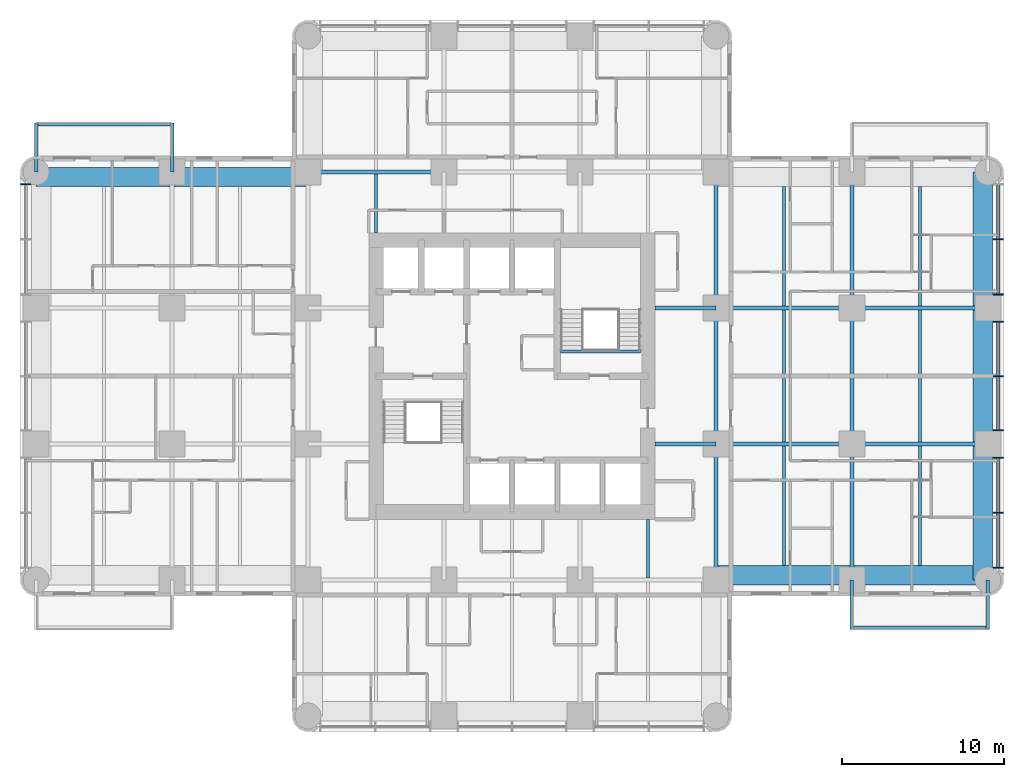
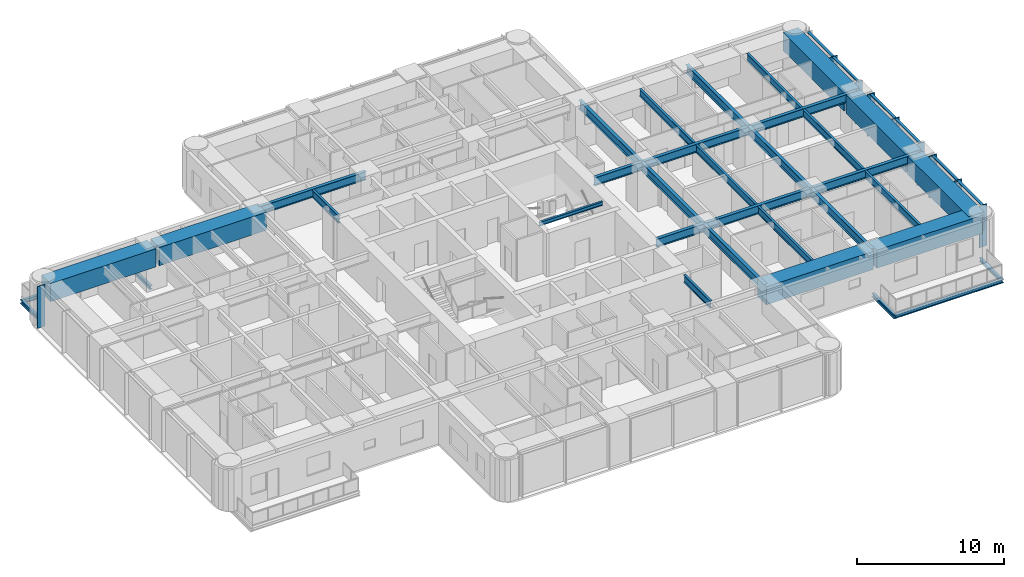
# One storey, part 3 of 15: 35 beams, 15 members, 2 elements without a shape of their own.
"""IFC4 building model written with IfcOpenShell, lengths in metres."""

import ifcopenshell
import ifcopenshell.guid

model = None  # the IFC model being written
_history = None  # IfcOwnerHistory: only IFC2X3 demands one
_inside = {}  # id of a spatial element -> (the spatial element, [elements in it])
_under = {}  # id of a project, library or spatial element -> (it, [spatial elements below it])
_declared = {}  # id of a project -> (the project, [libraries it declares])
_typed = {}  # id of a type object -> (the type object, [elements of that type])
_made_of = {}  # id of a material, layer set ... -> (it, [elements and type objects made of it])


def new_model(schema):
    """Start an empty IFC model of exactly this schema.

    Asked for "IFC4X3", IfcOpenShell would pick the latest addendum, in which some entities
    have other attributes; the version numbers below select the first issue.
    IFC2X3 requires an IfcOwnerHistory on every rooted entity: one is made here for all.
    """
    global model, _history
    if schema == "IFC4X3":
        model = ifcopenshell.file(schema_version=(4, 3, 0, 0))
    else:
        model = ifcopenshell.file(schema=schema)
    _inside.clear()
    _under.clear()
    _declared.clear()
    _typed.clear()
    _made_of.clear()
    _history = None
    if model.schema == "IFC2X3":
        org = make("IfcOrganization", Name="unknown")
        user = make(
            "IfcPersonAndOrganization",
            ThePerson=make("IfcPerson", FamilyName="unknown"),
            TheOrganization=org,
        )
        app = make(
            "IfcApplication",
            ApplicationDeveloper=org,
            Version="unknown",
            ApplicationFullName="unknown",
            ApplicationIdentifier="unknown",
        )
        _history = make(
            "IfcOwnerHistory",
            OwningUser=user,
            OwningApplication=app,
            ChangeAction="ADDED",
            CreationDate=0,
        )
    return model


def make(cls, **values):
    """One entity of the class cls with the attributes given. An attribute that is None is left unset."""
    return model.create_entity(
        cls, **{name: value for name, value in values.items() if value is not None}
    )


def rooted(cls, **values):
    """An entity with a GlobalId (a new one), such as an element, a storey or a relation."""
    return make(cls, GlobalId=ifcopenshell.guid.new(), OwnerHistory=_history, **values)


def si_unit(unit_type, name, prefix=None):
    """IfcSIUnit, for example si_unit("LENGTHUNIT", "METRE", prefix="MILLI")."""
    return make("IfcSIUnit", UnitType=unit_type, Prefix=prefix, Name=name)


def assignment(units):
    """IfcUnitAssignment: the units of a project."""
    return None if units is None else make("IfcUnitAssignment", Units=units)


def point(xyz):
    """IfcCartesianPoint."""
    return None if xyz is None else make("IfcCartesianPoint", Coordinates=xyz)


def direction(xyz):
    """IfcDirection."""
    return None if xyz is None else make("IfcDirection", DirectionRatios=xyz)


def frame(location, z_axis=None, x_axis=None):
    """IfcAxis2Placement3D, a coordinate frame: its origin and axes. An axis left out is left unset."""
    return make(
        "IfcAxis2Placement3D",
        Location=point(location),
        Axis=direction(z_axis),
        RefDirection=direction(x_axis),
    )


def frame_2d(location, x_axis=None):
    """IfcAxis2Placement2D, a coordinate frame in the plane: its origin and x axis."""
    return make(
        "IfcAxis2Placement2D", Location=point(location), RefDirection=direction(x_axis)
    )


def origin():
    """The frame at (0, 0, 0) with its axes left unset."""
    return frame((0.0, 0.0, 0.0))


def origin_2d():
    """The frame at (0, 0) in the plane with its x axis left unset."""
    return frame_2d((0.0, 0.0))


def place(relative_to, where):
    """IfcLocalPlacement: puts the frame where relative to a parent placement (None: the world)."""
    return make(
        "IfcLocalPlacement", PlacementRelTo=relative_to, RelativePlacement=where
    )


def context(
    kind, dimensions, precision=None, world=None, true_north=None, identifier=None
):
    """IfcGeometricRepresentationContext, for example the 3D "Model" context."""
    return make(
        "IfcGeometricRepresentationContext",
        ContextIdentifier=identifier,
        ContextType=kind,
        CoordinateSpaceDimension=dimensions,
        Precision=precision,
        WorldCoordinateSystem=world,
        TrueNorth=true_north,
    )


def subcontext(parent, identifier, kind, view, scale=None):
    """IfcGeometricRepresentationSubContext, for example "Body" below "Model"."""
    return make(
        "IfcGeometricRepresentationSubContext",
        ContextIdentifier=identifier,
        ContextType=kind,
        ParentContext=parent,
        TargetScale=scale,
        TargetView=view,
    )


def project(units=None, contexts=None):
    """IfcProject with its units and contexts."""
    return rooted(
        "IfcProject",
        Name="project",
        RepresentationContexts=contexts,
        UnitsInContext=assignment(units),
    )


def spatial(cls, under=None, at=None, **own):
    """A site, building, storey or space (cls), placed at a placement, below another one or the project."""
    s = rooted(cls, ObjectPlacement=at, **own)
    if under is not None:
        _under.setdefault(under.id(), (under, []))[1].append(s)
    return s


def profile(cls, at=None, kind="AREA", **sizes):
    """A parametric profile (cls). Its sizes go by their IFC names, for example OverallWidth=200.0."""
    return make(cls, ProfileType=kind, Position=at, **sizes)


def rectangle(**sizes):
    """IfcRectangleProfileDef."""
    return profile("IfcRectangleProfileDef", **sizes)


def i_section(**sizes):
    """IfcIShapeProfileDef."""
    return profile("IfcIShapeProfileDef", **sizes)


def extrude(swept, where, along, depth):
    """IfcExtrudedAreaSolid: the profile swept, set in the frame where, extruded along a direction by depth."""
    return make(
        "IfcExtrudedAreaSolid",
        SweptArea=swept,
        Position=where,
        ExtrudedDirection=direction(along),
        Depth=depth,
    )


def shape(context_of_items, identifier, shape_type, items):
    """IfcShapeRepresentation: the items that make up one representation, for example the "Body"."""
    return make(
        "IfcShapeRepresentation",
        ContextOfItems=context_of_items,
        RepresentationIdentifier=identifier,
        RepresentationType=shape_type,
        Items=items,
    )


def material(Name=None, Category=None):
    """IfcMaterial."""
    return make("IfcMaterial", Name=Name, Category=Category)


def material_profile(
    of_material, cross_section, Name=None, Category=None, Priority=None
):
    """IfcMaterialProfile: a cross section and its material."""
    return make(
        "IfcMaterialProfile",
        Name=Name,
        Material=of_material,
        Profile=cross_section,
        Priority=Priority,
        Category=Category,
    )


def profile_set(profiles, Name=None, composite=None):
    """IfcMaterialProfileSet."""
    return make(
        "IfcMaterialProfileSet",
        Name=Name,
        MaterialProfiles=profiles,
        CompositeProfile=composite,
    )


def made_of(thing, what):
    """Note that an element or type object is made of a material, layer set ...; save() writes the relation."""
    if what is not None:
        _made_of.setdefault(what.id(), (what, []))[1].append(thing)
    return thing


def type_object(cls, material=None, **own):
    """A type object (cls), such as IfcWallType, which elements share."""
    return made_of(rooted(cls, **own), material)


def element(
    cls,
    number,
    at=None,
    inside=None,
    cuts=None,
    type_object=None,
    material=None,
    context=None,
    identifier="Body",
    shape_type=None,
    held_by="IfcProductDefinitionShape",
    body=None,
    shapes=None,
    **own,
):
    """One element of the class cls, such as IfcWall. Its Tag is "e" and its number.

    at: its placement. inside: the storey or other place that contains it. cuts: it is an
    opening in that element (IfcRelVoidsElement). A single representation is given by context,
    identifier, shape_type and body (its items); several are given by shapes. held_by: the class
    of the entity that holds the representations. save() writes the other relations.
    """
    e = rooted(cls, Tag="e%d" % number, ObjectPlacement=at, **own)
    if body is not None:
        shapes = [shape(context, identifier, shape_type, body)]
    if shapes is not None:
        e.Representation = make(held_by, Representations=shapes)
    if inside is not None:
        _inside.setdefault(inside.id(), (inside, []))[1].append(e)
    if cuts is not None:
        rooted(
            "IfcRelVoidsElement", RelatingBuildingElement=cuts, RelatedOpeningElement=e
        )
    if type_object is not None:
        _typed.setdefault(type_object.id(), (type_object, []))[1].append(e)
    return made_of(e, material)


def aggregate(whole, parts):
    """IfcRelAggregates: a whole, such as a stair, and the parts it consists of."""
    return rooted("IfcRelAggregates", RelatingObject=whole, RelatedObjects=parts)


def save(model, path):
    """Write the relations noted so far, then the file.

    IfcRelAggregates (storeys below a building ...), IfcRelContainedInSpatialStructure (elements
    in a storey), IfcRelDefinesByType, IfcRelAssociatesMaterial and IfcRelDeclares: one each for
    every whole, place, type object, material and project.
    """
    for whole, parts in _under.values():
        aggregate(whole, parts)
    for where, things in _inside.values():
        rooted(
            "IfcRelContainedInSpatialStructure",
            RelatedElements=things,
            RelatingStructure=where,
        )
    for kind, things in _typed.values():
        rooted("IfcRelDefinesByType", RelatedObjects=things, RelatingType=kind)
    for what, things in _made_of.values():
        rooted("IfcRelAssociatesMaterial", RelatedObjects=things, RelatingMaterial=what)
    for by, libraries in _declared.values():
        rooted("IfcRelDeclares", RelatingContext=by, RelatedDefinitions=libraries)
    model.write(path)


model = new_model("IFC4")

# Units and contexts
model_context = context("Model", 3, precision=1e-05, world=origin(), true_north=direction((0.0, 1.0)))
body_context = subcontext(model_context, "Body", "Model", "MODEL_VIEW")
ifc_project = project(units=[si_unit("LENGTHUNIT", "METRE"), si_unit("AREAUNIT", "SQUARE_METRE"), si_unit("VOLUMEUNIT", "CUBIC_METRE"), si_unit("PLANEANGLEUNIT", "RADIAN"), si_unit("MASSUNIT", "GRAM", prefix="KILO")], contexts=[model_context])

# Site, building, storey
site_placement = place(None, origin())
site = spatial("IfcSite", under=ifc_project, at=site_placement, CompositionType="ELEMENT")
building_placement = place(site_placement, origin())
building = spatial("IfcBuilding", under=site, at=building_placement, Name="Torre Alcanfor", CompositionType="ELEMENT")
storey_placement = place(building_placement, frame((0.0, 0.0, 123.300048828125)))
storey = spatial("IfcBuildingStorey", under=building, at=storey_placement, Name="L31", CompositionType="ELEMENT", Elevation=123.300048828125)

# Beams
ifc_material_1 = material(Name="Steel ASTM A992 Grade 50", Category="steel")
ifc_material_profile_1 = material_profile(ifc_material_1, i_section(OverallWidth=0.205322265625, OverallDepth=0.309814453125, WebThickness=0.00927734375, FlangeThickness=0.016357421875, at=origin_2d()), Name="W12x50")
ifc_profile_set_1 = profile_set([ifc_material_profile_1], Name="Steel ASTM A992 Grade 50")
beam_type_1 = type_object("IfcBeamType", Name="Balcony cantilever beam W12x50", PredefinedType="BEAM", material=ifc_profile_set_1)
for number, where, z_axis, x_axis, name in (
    (1, (50.39990234375, 16.800048828125, -0.35498046875), (0.0, -1.0, 0.0), (1.0, 0.0, 0.0), "Balcony cantilever beam L31-E2 1"),
    (2, (58.800048828125, 16.800048828125, -0.35498046875), (0.0, -1.0, 0.0), (1.0, 0.0, 0.0), "Balcony cantilever beam L31-E2 2"),
    (3, (8.39990234375, 42.0, -0.35498046875), (0.0, 1.0, 0.0), (-1.0, 0.0, 0.0), "Balcony cantilever beam L31-W2 1"),
    (4, (0.0, 42.0, -0.35498046875), (0.0, 1.0, 0.0), (-1.0, 0.0, 0.0), "Balcony cantilever beam L31-W2 2"),
):
    element("IfcBeam", number, at=place(storey_placement, frame(where, z_axis=z_axis, x_axis=x_axis)), inside=storey, type_object=beam_type_1, Name=name, PredefinedType="BEAM", context=body_context, shape_type="SweptSolid", body=[
        extrude(i_section(OverallWidth=0.205322265625, OverallDepth=0.309814453125, WebThickness=0.00927734375, FlangeThickness=0.016357421875, at=origin_2d()), origin(), (0.0, 0.0, 1.0), 3.050048828125),
    ])
ifc_material_2 = material(Name="Steel ASTM A992 Grade 50", Category="steel")
ifc_material_profile_2 = material_profile(ifc_material_2, i_section(OverallWidth=0.203369140625, OverallDepth=0.30224609375, WebThickness=0.007568359375, FlangeThickness=0.01318359375, at=origin_2d()), Name="W12x40")
ifc_profile_set_2 = profile_set([ifc_material_profile_2], Name="Steel ASTM A992 Grade 50")
beam_type_2 = type_object("IfcBeamType", Name="Balcony edge trimmer W12x40", PredefinedType="BEAM", material=ifc_profile_set_2)
beam_1_placement = place(storey_placement, frame((50.39990234375, 13.851806640625, -0.35107421875), z_axis=(1.0, 0.0, 0.0), x_axis=(0.0, 1.0, 0.0)))
element("IfcBeam", 5, at=beam_1_placement, inside=storey, type_object=beam_type_2, Name="Balcony edge trimmer L31-E2", PredefinedType="BEAM", context=body_context, shape_type="SweptSolid", body=[
    extrude(i_section(OverallWidth=0.203369140625, OverallDepth=0.30224609375, WebThickness=0.007568359375, FlangeThickness=0.01318359375, at=origin_2d()), origin(), (0.0, 0.0, 1.0), 8.400146484375),
])
beam_2_placement = place(storey_placement, frame((8.39990234375, 44.9482421875, -0.35107421875), z_axis=(-1.0, 0.0, 0.0), x_axis=(0.0, -1.0, 0.0)))
element("IfcBeam", 6, at=beam_2_placement, inside=storey, type_object=beam_type_2, Name="Balcony edge trimmer L31-W2", PredefinedType="BEAM", context=body_context, shape_type="SweptSolid", body=[
    extrude(i_section(OverallWidth=0.203369140625, OverallDepth=0.30224609375, WebThickness=0.007568359375, FlangeThickness=0.01318359375, at=origin_2d()), origin(), (0.0, 0.0, 1.0), 8.39990234375),
])

# Curtain wall, member
ifc_material_3 = material(Name="Aluminium and glass", Category="aluminium")
curtain_wall_type = type_object("IfcCurtainWallType", Name="CW-A unitised apartment glazing with vertical FIN", PredefinedType="NOTDEFINED", material=ifc_material_3)
curtain_wall_1_placement = place(storey_placement, origin())
curtain_wall_1 = element("IfcCurtainWall", 7, at=curtain_wall_1_placement, inside=storey, type_object=curtain_wall_type, Name="Curtain wall CW-A L31 2", PredefinedType="NOTDEFINED")
ifc_material_4 = material(Name="Bronze anodised aluminium", Category="aluminium")
ifc_material_profile_3 = material_profile(ifc_material_4, rectangle(XDim=0.60009765625, YDim=0.06494140625, at=origin_2d()), Name="CW-A mullion 65x600")
ifc_profile_set_3 = profile_set([ifc_material_profile_3], Name="Bronze anodised aluminium")
member_type_1 = type_object("IfcMemberType", Name="CW-A mullion with vertical FIN 65x600", PredefinedType="MULLION", material=ifc_profile_set_3)
member_1_placement = place(storey_placement, frame((-0.64990234375, 41.24267578125, 0.0), z_axis=(0.0, 0.0, 1.0), x_axis=(1.0, 0.0, 0.0)))
member_1 = element("IfcMember", 8, at=member_1_placement, type_object=member_type_1, Name="CW-A mullion 1.1", PredefinedType="MULLION", context=body_context, shape_type="SweptSolid", body=[
    extrude(rectangle(XDim=0.60009765625, YDim=0.06494140625, at=origin_2d()), origin(), (0.0, 0.0, 1.0), 3.449951171875),
])
aggregate(curtain_wall_1, [member_1])

# Curtain wall, members
curtain_wall_2_placement = place(storey_placement, origin())
curtain_wall_2 = element("IfcCurtainWall", 9, at=curtain_wall_2_placement, inside=storey, type_object=curtain_wall_type, Name="Curtain wall CW-A L31 8", PredefinedType="NOTDEFINED")
member_2_placement = place(storey_placement, frame((59.449951171875, 17.557373046875, 0.0), z_axis=(0.0, 0.0, 1.0), x_axis=(-1.0, 0.0, 0.0)))
member_2 = element("IfcMember", 10, at=member_2_placement, type_object=member_type_1, Name="CW-A mullion 1.1", PredefinedType="MULLION", context=body_context, shape_type="SweptSolid", body=[
    extrude(rectangle(XDim=0.60009765625, YDim=0.06494140625, at=origin_2d()), origin(), (0.0, 0.0, 1.0), 3.449951171875),
])
member_3_placement = place(storey_placement, frame((59.449951171875, 20.9599609375, 0.0), z_axis=(0.0, 0.0, 1.0), x_axis=(-1.0, 0.0, 0.0)))
member_3 = element("IfcMember", 11, at=member_3_placement, type_object=member_type_1, Name="CW-A mullion 1.2", PredefinedType="MULLION", context=body_context, shape_type="SweptSolid", body=[
    extrude(rectangle(XDim=0.60009765625, YDim=0.06494140625, at=origin_2d()), origin(), (0.0, 0.0, 1.0), 3.449951171875),
])
member_4_placement = place(storey_placement, frame((59.449951171875, 24.362548828125, 0.0), z_axis=(0.0, 0.0, 1.0), x_axis=(-1.0, 0.0, 0.0)))
member_4 = element("IfcMember", 12, at=member_4_placement, type_object=member_type_1, Name="CW-A mullion 1.3", PredefinedType="MULLION", context=body_context, shape_type="SweptSolid", body=[
    extrude(rectangle(XDim=0.60009765625, YDim=0.06494140625, at=origin_2d()), origin(), (0.0, 0.0, 1.0), 3.449951171875),
])
member_5_placement = place(storey_placement, frame((59.449951171875, 26.03759765625, 0.0), z_axis=(0.0, 0.0, 1.0), x_axis=(-1.0, 0.0, 0.0)))
member_5 = element("IfcMember", 13, at=member_5_placement, type_object=member_type_1, Name="CW-A mullion 2.1", PredefinedType="MULLION", context=body_context, shape_type="SweptSolid", body=[
    extrude(rectangle(XDim=0.60009765625, YDim=0.06494140625, at=origin_2d()), origin(), (0.0, 0.0, 1.0), 3.449951171875),
])
member_6_placement = place(storey_placement, frame((59.449951171875, 29.39990234375, 0.0), z_axis=(0.0, 0.0, 1.0), x_axis=(-1.0, 0.0, 0.0)))
member_6 = element("IfcMember", 14, at=member_6_placement, type_object=member_type_1, Name="CW-A mullion 2.2", PredefinedType="MULLION", context=body_context, shape_type="SweptSolid", body=[
    extrude(rectangle(XDim=0.60009765625, YDim=0.06494140625, at=origin_2d()), origin(), (0.0, 0.0, 1.0), 3.449951171875),
])
member_7_placement = place(storey_placement, frame((59.449951171875, 32.762451171875, 0.0), z_axis=(0.0, 0.0, 1.0), x_axis=(-1.0, 0.0, 0.0)))
member_7 = element("IfcMember", 15, at=member_7_placement, type_object=member_type_1, Name="CW-A mullion 2.3", PredefinedType="MULLION", context=body_context, shape_type="SweptSolid", body=[
    extrude(rectangle(XDim=0.60009765625, YDim=0.06494140625, at=origin_2d()), origin(), (0.0, 0.0, 1.0), 3.449951171875),
])
member_8_placement = place(storey_placement, frame((59.449951171875, 34.4375, 0.0), z_axis=(0.0, 0.0, 1.0), x_axis=(-1.0, 0.0, 0.0)))
member_8 = element("IfcMember", 16, at=member_8_placement, type_object=member_type_1, Name="CW-A mullion 3.1", PredefinedType="MULLION", context=body_context, shape_type="SweptSolid", body=[
    extrude(rectangle(XDim=0.60009765625, YDim=0.06494140625, at=origin_2d()), origin(), (0.0, 0.0, 1.0), 3.449951171875),
])
member_9_placement = place(storey_placement, frame((59.449951171875, 37.840087890625, 0.0), z_axis=(0.0, 0.0, 1.0), x_axis=(-1.0, 0.0, 0.0)))
member_9 = element("IfcMember", 17, at=member_9_placement, type_object=member_type_1, Name="CW-A mullion 3.2", PredefinedType="MULLION", context=body_context, shape_type="SweptSolid", body=[
    extrude(rectangle(XDim=0.60009765625, YDim=0.06494140625, at=origin_2d()), origin(), (0.0, 0.0, 1.0), 3.449951171875),
])
ifc_material_5 = material(Name="Extruded aluminium", Category="aluminium")
ifc_material_profile_4 = material_profile(ifc_material_5, rectangle(XDim=0.199951171875, YDim=0.06494140625, at=origin_2d()), Name="CW-A transom 200x65")
ifc_profile_set_4 = profile_set([ifc_material_profile_4], Name="Extruded aluminium")
member_type_2 = type_object("IfcMemberType", Name="CW-A transom 65x200", PredefinedType="USERDEFINED", material=ifc_profile_set_4)
member_10_placement = place(storey_placement, frame((59.449951171875, 17.58984375, 3.41748046875), z_axis=(0.0, 1.0, 0.0), x_axis=(-1.0, 0.0, 0.0)))
member_10 = element("IfcMember", 18, at=member_10_placement, type_object=member_type_2, Name="CW-A transom 1.1.2", ObjectType="TRANSOM", PredefinedType="USERDEFINED", context=body_context, shape_type="SweptSolid", body=[
    extrude(rectangle(XDim=0.199951171875, YDim=0.06494140625, at=origin_2d()), origin(), (0.0, 0.0, 1.0), 3.337646484375),
])
member_11_placement = place(storey_placement, frame((59.449951171875, 20.992431640625, 3.41748046875), z_axis=(0.0, 1.0, 0.0), x_axis=(-1.0, 0.0, 0.0)))
member_11 = element("IfcMember", 19, at=member_11_placement, type_object=member_type_2, Name="CW-A transom 1.2.2", ObjectType="TRANSOM", PredefinedType="USERDEFINED", context=body_context, shape_type="SweptSolid", body=[
    extrude(rectangle(XDim=0.199951171875, YDim=0.06494140625, at=origin_2d()), origin(), (0.0, 0.0, 1.0), 3.337646484375),
])
member_12_placement = place(storey_placement, frame((59.449951171875, 26.070068359375, 3.41748046875), z_axis=(0.0, 1.0, 0.0), x_axis=(-1.0, 0.0, 0.0)))
member_12 = element("IfcMember", 20, at=member_12_placement, type_object=member_type_2, Name="CW-A transom 2.1.2", ObjectType="TRANSOM", PredefinedType="USERDEFINED", context=body_context, shape_type="SweptSolid", body=[
    extrude(rectangle(XDim=0.199951171875, YDim=0.06494140625, at=origin_2d()), origin(), (0.0, 0.0, 1.0), 3.29736328125),
])
member_13_placement = place(storey_placement, frame((59.449951171875, 29.4326171875, 3.41748046875), z_axis=(0.0, 1.0, 0.0), x_axis=(-1.0, 0.0, 0.0)))
member_13 = element("IfcMember", 21, at=member_13_placement, type_object=member_type_2, Name="CW-A transom 2.2.2", ObjectType="TRANSOM", PredefinedType="USERDEFINED", context=body_context, shape_type="SweptSolid", body=[
    extrude(rectangle(XDim=0.199951171875, YDim=0.06494140625, at=origin_2d()), origin(), (0.0, 0.0, 1.0), 3.29736328125),
])
member_14_placement = place(storey_placement, frame((59.449951171875, 34.469970703125, 3.41748046875), z_axis=(0.0, 1.0, 0.0), x_axis=(-1.0, 0.0, 0.0)))
member_14 = element("IfcMember", 22, at=member_14_placement, type_object=member_type_2, Name="CW-A transom 3.1.2", ObjectType="TRANSOM", PredefinedType="USERDEFINED", context=body_context, shape_type="SweptSolid", body=[
    extrude(rectangle(XDim=0.199951171875, YDim=0.06494140625, at=origin_2d()), origin(), (0.0, 0.0, 1.0), 3.337646484375),
])
member_15_placement = place(storey_placement, frame((59.449951171875, 37.87255859375, 3.41748046875), z_axis=(0.0, 1.0, 0.0), x_axis=(-1.0, 0.0, 0.0)))
member_15 = element("IfcMember", 23, at=member_15_placement, type_object=member_type_2, Name="CW-A transom 3.2.2", ObjectType="TRANSOM", PredefinedType="USERDEFINED", context=body_context, shape_type="SweptSolid", body=[
    extrude(rectangle(XDim=0.199951171875, YDim=0.06494140625, at=origin_2d()), origin(), (0.0, 0.0, 1.0), 3.337646484375),
])
aggregate(curtain_wall_2, [member_2, member_3, member_4, member_10, member_11, member_5, member_6, member_7, member_12, member_13, member_8, member_9, member_14, member_15])

# Beams
ifc_material_6 = material(Name="Steel ASTM A992 Grade 50", Category="steel")
ifc_material_profile_5 = material_profile(ifc_material_6, i_section(OverallWidth=0.25390625, OverallDepth=0.683349609375, WebThickness=0.012451171875, FlangeThickness=0.01904296875, at=origin_2d()), Name="W27x94")
ifc_profile_set_5 = profile_set([ifc_material_profile_5], Name="Steel ASTM A992 Grade 50")
beam_type_3 = type_object("IfcBeamType", Name="Girder W27x94", PredefinedType="BEAM", material=ifc_profile_set_5)
beam_3_placement = place(storey_placement, frame((42.0, 25.199951171875, 3.1083984375), z_axis=(1.0, 0.0, 0.0), x_axis=(0.0, 1.0, 0.0)))
element("IfcBeam", 24, at=beam_3_placement, inside=storey, type_object=beam_type_3, Name="Beam 6F-7F under L32", PredefinedType="BEAM", context=body_context, shape_type="SweptSolid", body=[
    extrude(i_section(OverallWidth=0.25390625, OverallDepth=0.683349609375, WebThickness=0.012451171875, FlangeThickness=0.01904296875, at=origin_2d()), origin(), (0.0, 0.0, 1.0), 8.39990234375),
])
beam_4_placement = place(storey_placement, frame((50.39990234375, 25.199951171875, 3.1083984375), z_axis=(1.0, 0.0, 0.0), x_axis=(0.0, 1.0, 0.0)))
element("IfcBeam", 25, at=beam_4_placement, inside=storey, type_object=beam_type_3, Name="Beam 7F-8F under L32", PredefinedType="BEAM", context=body_context, shape_type="SweptSolid", body=[
    extrude(i_section(OverallWidth=0.25390625, OverallDepth=0.683349609375, WebThickness=0.012451171875, FlangeThickness=0.01904296875, at=origin_2d()), origin(), (0.0, 0.0, 1.0), 8.400146484375),
])
beam_5_placement = place(storey_placement, frame((42.0, 33.60009765625, 3.1083984375), z_axis=(1.0, 0.0, 0.0), x_axis=(0.0, 1.0, 0.0)))
element("IfcBeam", 26, at=beam_5_placement, inside=storey, type_object=beam_type_3, Name="Beam 6G-7G under L32", PredefinedType="BEAM", context=body_context, shape_type="SweptSolid", body=[
    extrude(i_section(OverallWidth=0.25390625, OverallDepth=0.683349609375, WebThickness=0.012451171875, FlangeThickness=0.01904296875, at=origin_2d()), origin(), (0.0, 0.0, 1.0), 8.39990234375),
])
beam_6_placement = place(storey_placement, frame((50.39990234375, 33.60009765625, 3.1083984375), z_axis=(1.0, 0.0, 0.0), x_axis=(0.0, 1.0, 0.0)))
element("IfcBeam", 27, at=beam_6_placement, inside=storey, type_object=beam_type_3, Name="Beam 7G-8G under L32", PredefinedType="BEAM", context=body_context, shape_type="SweptSolid", body=[
    extrude(i_section(OverallWidth=0.25390625, OverallDepth=0.683349609375, WebThickness=0.012451171875, FlangeThickness=0.01904296875, at=origin_2d()), origin(), (0.0, 0.0, 1.0), 8.400146484375),
])
for number, where, z_axis, x_axis, name in (
    (28, (16.800048828125, 42.0, 3.1083984375), (1.0, 0.0, 0.0), (0.0, 1.0, 0.0), "Beam 3H-4H under L32"),
    (29, (42.0, 16.800048828125, 3.1083984375), (0.0, 1.0, 0.0), (-1.0, 0.0, 0.0), "Beam 6E-6F under L32"),
):
    element("IfcBeam", number, at=place(storey_placement, frame(where, z_axis=z_axis, x_axis=x_axis)), inside=storey, type_object=beam_type_3, Name=name, PredefinedType="BEAM", context=body_context, shape_type="SweptSolid", body=[
        extrude(i_section(OverallWidth=0.25390625, OverallDepth=0.683349609375, WebThickness=0.012451171875, FlangeThickness=0.01904296875, at=origin_2d()), origin(), (0.0, 0.0, 1.0), 8.39990234375),
    ])
beam_7_placement = place(storey_placement, frame((42.0, 25.199951171875, 3.1083984375), z_axis=(0.0, 1.0, 0.0), x_axis=(-1.0, 0.0, 0.0)))
element("IfcBeam", 30, at=beam_7_placement, inside=storey, type_object=beam_type_3, Name="Beam 6F-6G under L32", PredefinedType="BEAM", context=body_context, shape_type="SweptSolid", body=[
    extrude(i_section(OverallWidth=0.25390625, OverallDepth=0.683349609375, WebThickness=0.012451171875, FlangeThickness=0.01904296875, at=origin_2d()), origin(), (0.0, 0.0, 1.0), 8.400146484375),
])
for number, where, z_axis, x_axis, name in (
    (31, (42.0, 33.60009765625, 3.1083984375), (0.0, 1.0, 0.0), (-1.0, 0.0, 0.0), "Beam 6G-6H under L32"),
    (32, (50.39990234375, 16.800048828125, 3.1083984375), (0.0, 1.0, 0.0), (-1.0, 0.0, 0.0), "Beam 7E-7F under L32"),
):
    element("IfcBeam", number, at=place(storey_placement, frame(where, z_axis=z_axis, x_axis=x_axis)), inside=storey, type_object=beam_type_3, Name=name, PredefinedType="BEAM", context=body_context, shape_type="SweptSolid", body=[
        extrude(i_section(OverallWidth=0.25390625, OverallDepth=0.683349609375, WebThickness=0.012451171875, FlangeThickness=0.01904296875, at=origin_2d()), origin(), (0.0, 0.0, 1.0), 8.39990234375),
    ])
beam_8_placement = place(storey_placement, frame((50.39990234375, 25.199951171875, 3.1083984375), z_axis=(0.0, 1.0, 0.0), x_axis=(-1.0, 0.0, 0.0)))
element("IfcBeam", 33, at=beam_8_placement, inside=storey, type_object=beam_type_3, Name="Beam 7F-7G under L32", PredefinedType="BEAM", context=body_context, shape_type="SweptSolid", body=[
    extrude(i_section(OverallWidth=0.25390625, OverallDepth=0.683349609375, WebThickness=0.012451171875, FlangeThickness=0.01904296875, at=origin_2d()), origin(), (0.0, 0.0, 1.0), 8.400146484375),
])
beam_9_placement = place(storey_placement, frame((50.39990234375, 33.60009765625, 3.1083984375), z_axis=(0.0, 1.0, 0.0), x_axis=(-1.0, 0.0, 0.0)))
element("IfcBeam", 34, at=beam_9_placement, inside=storey, type_object=beam_type_3, Name="Beam 7G-7H under L32", PredefinedType="BEAM", context=body_context, shape_type="SweptSolid", body=[
    extrude(i_section(OverallWidth=0.25390625, OverallDepth=0.683349609375, WebThickness=0.012451171875, FlangeThickness=0.01904296875, at=origin_2d()), origin(), (0.0, 0.0, 1.0), 8.39990234375),
])
ifc_material_7 = material(Name="Steel ASTM A992 Grade 50", Category="steel")
ifc_material_profile_6 = material_profile(ifc_material_7, i_section(OverallWidth=0.25390625, OverallDepth=0.683349609375, WebThickness=0.012451171875, FlangeThickness=0.01904296875, at=origin_2d()), Name="W27x94")
ifc_profile_set_6 = profile_set([ifc_material_profile_6], Name="Steel ASTM A992 Grade 50")
beam_type_4 = type_object("IfcBeamType", Name="Girder, part bay W27x94", PredefinedType="BEAM", material=ifc_profile_set_6)
for number, where, z_axis, x_axis, name in (
    (35, (42.0, 25.199951171875, 3.1083984375), (-1.0, 0.0, 0.0), (0.0, -1.0, 0.0), "Beam 6F-38_25F under L32"),
    (36, (42.0, 33.60009765625, 3.1083984375), (-1.0, 0.0, 0.0), (0.0, -1.0, 0.0), "Beam 6G-38_25G under L32"),
):
    element("IfcBeam", number, at=place(storey_placement, frame(where, z_axis=z_axis, x_axis=x_axis)), inside=storey, type_object=beam_type_4, Name=name, PredefinedType="BEAM", context=body_context, shape_type="SweptSolid", body=[
        extrude(i_section(OverallWidth=0.25390625, OverallDepth=0.683349609375, WebThickness=0.012451171875, FlangeThickness=0.01904296875, at=origin_2d()), origin(), (0.0, 0.0, 1.0), 3.75),
    ])
ifc_material_8 = material(Name="Concrete f'c 70 MPa", Category="concrete")
ifc_material_profile_7 = material_profile(ifc_material_8, rectangle(XDim=1.199951171875, YDim=1.5, at=origin_2d()), Name="1200x1500")
ifc_profile_set_7 = profile_set([ifc_material_profile_7], Name="Concrete f'c 70 MPa")
beam_type_5 = type_object("IfcBeamType", Name="RC perimeter beam 1200x1500", PredefinedType="BEAM", material=ifc_profile_set_7)
beam_10_placement = place(storey_placement, frame((41.873046875, 17.10009765625, 2.699951171875), z_axis=(1.0, 0.0, 0.0), x_axis=(0.0, 1.0, 0.0)))
element("IfcBeam", 37, at=beam_10_placement, inside=storey, type_object=beam_type_5, Name="Beam 6E-7E under L32", PredefinedType="BEAM", context=body_context, shape_type="SweptSolid", body=[
    extrude(rectangle(XDim=1.199951171875, YDim=1.5, at=origin_2d()), origin(), (0.0, 0.0, 1.0), 8.39990234375),
])
for number, where, z_axis, x_axis, name in (
    (38, (50.527099609375, 17.10009765625, 2.699951171875), (1.0, 0.0, 0.0), (0.0, 1.0, 0.0), "Beam 7E-8E under L32"),
    (39, (0.0, 41.699951171875, 2.699951171875), (1.0, 0.0, 0.0), (0.0, 1.0, 0.0), "Beam 1H-2H under L32"),
):
    element("IfcBeam", number, at=place(storey_placement, frame(where, z_axis=z_axis, x_axis=x_axis)), inside=storey, type_object=beam_type_5, Name=name, PredefinedType="BEAM", context=body_context, shape_type="SweptSolid", body=[
        extrude(rectangle(XDim=1.199951171875, YDim=1.5, at=origin_2d()), origin(), (0.0, 0.0, 1.0), 8.27294921875),
    ])
beam_11_placement = place(storey_placement, frame((8.527099609375, 41.699951171875, 2.699951171875), z_axis=(1.0, 0.0, 0.0), x_axis=(0.0, 1.0, 0.0)))
element("IfcBeam", 40, at=beam_11_placement, inside=storey, type_object=beam_type_5, Name="Beam 2H-3H under L32", PredefinedType="BEAM", context=body_context, shape_type="SweptSolid", body=[
    extrude(rectangle(XDim=1.199951171875, YDim=1.5, at=origin_2d()), origin(), (0.0, 0.0, 1.0), 8.39990234375),
])
beam_12_placement = place(storey_placement, frame((58.5, 16.800048828125, 2.699951171875), z_axis=(0.0, 1.0, 0.0), x_axis=(-1.0, 0.0, 0.0)))
element("IfcBeam", 41, at=beam_12_placement, inside=storey, type_object=beam_type_5, Name="Beam 8E-8F under L32", PredefinedType="BEAM", context=body_context, shape_type="SweptSolid", body=[
    extrude(rectangle(XDim=1.199951171875, YDim=1.5, at=origin_2d()), origin(), (0.0, 0.0, 1.0), 8.27294921875),
])
beam_13_placement = place(storey_placement, frame((58.5, 25.326904296875, 2.699951171875), z_axis=(0.0, 1.0, 0.0), x_axis=(-1.0, 0.0, 0.0)))
element("IfcBeam", 42, at=beam_13_placement, inside=storey, type_object=beam_type_5, Name="Beam 8F-8G under L32", PredefinedType="BEAM", context=body_context, shape_type="SweptSolid", body=[
    extrude(rectangle(XDim=1.199951171875, YDim=1.5, at=origin_2d()), origin(), (0.0, 0.0, 1.0), 8.14599609375),
])
beam_14_placement = place(storey_placement, frame((58.5, 33.72705078125, 2.699951171875), z_axis=(0.0, 1.0, 0.0), x_axis=(-1.0, 0.0, 0.0)))
element("IfcBeam", 43, at=beam_14_placement, inside=storey, type_object=beam_type_5, Name="Beam 8G-8H under L32", PredefinedType="BEAM", context=body_context, shape_type="SweptSolid", body=[
    extrude(rectangle(XDim=1.199951171875, YDim=1.5, at=origin_2d()), origin(), (0.0, 0.0, 1.0), 8.27294921875),
])
ifc_material_9 = material(Name="Steel ASTM A992 Grade 50", Category="steel")
ifc_material_profile_8 = material_profile(ifc_material_9, i_section(OverallWidth=0.1787109375, OverallDepth=0.60205078125, WebThickness=0.010986328125, FlangeThickness=0.014892578125, at=origin_2d()), Name="W24x62")
ifc_profile_set_8 = profile_set([ifc_material_profile_8], Name="Steel ASTM A992 Grade 50")
beam_type_6 = type_object("IfcBeamType", Name="Secondary beam W24x62", PredefinedType="BEAM", material=ifc_profile_set_8)
beam_15_placement = place(storey_placement, frame((46.199951171875, 17.699951171875, 3.14892578125), z_axis=(0.0, 1.0, 0.0), x_axis=(-1.0, 0.0, 0.0)))
element("IfcBeam", 44, at=beam_15_placement, inside=storey, type_object=beam_type_6, Name="Beam 46_2E-46_2F under L32", PredefinedType="BEAM", context=body_context, shape_type="SweptSolid", body=[
    extrude(i_section(OverallWidth=0.1787109375, OverallDepth=0.60205078125, WebThickness=0.010986328125, FlangeThickness=0.014892578125, at=origin_2d()), origin(), (0.0, 0.0, 1.0), 7.373046875),
])
beam_16_placement = place(storey_placement, frame((46.199951171875, 25.326904296875, 3.14892578125), z_axis=(0.0, 1.0, 0.0), x_axis=(-1.0, 0.0, 0.0)))
element("IfcBeam", 45, at=beam_16_placement, inside=storey, type_object=beam_type_6, Name="Beam 46_2F-46_2G under L32", PredefinedType="BEAM", context=body_context, shape_type="SweptSolid", body=[
    extrude(i_section(OverallWidth=0.1787109375, OverallDepth=0.60205078125, WebThickness=0.010986328125, FlangeThickness=0.014892578125, at=origin_2d()), origin(), (0.0, 0.0, 1.0), 8.14599609375),
])
for number, where, z_axis, x_axis, name in (
    (46, (46.199951171875, 33.72705078125, 3.14892578125), (0.0, 1.0, 0.0), (-1.0, 0.0, 0.0), "Beam 46_2G-46_2H under L32"),
    (47, (54.60009765625, 17.699951171875, 3.14892578125), (0.0, 1.0, 0.0), (-1.0, 0.0, 0.0), "Beam 54_6E-54_6F under L32"),
):
    element("IfcBeam", number, at=place(storey_placement, frame(where, z_axis=z_axis, x_axis=x_axis)), inside=storey, type_object=beam_type_6, Name=name, PredefinedType="BEAM", context=body_context, shape_type="SweptSolid", body=[
        extrude(i_section(OverallWidth=0.1787109375, OverallDepth=0.60205078125, WebThickness=0.010986328125, FlangeThickness=0.014892578125, at=origin_2d()), origin(), (0.0, 0.0, 1.0), 7.373046875),
    ])
beam_17_placement = place(storey_placement, frame((54.60009765625, 25.326904296875, 3.14892578125), z_axis=(0.0, 1.0, 0.0), x_axis=(-1.0, 0.0, 0.0)))
element("IfcBeam", 48, at=beam_17_placement, inside=storey, type_object=beam_type_6, Name="Beam 54_6F-54_6G under L32", PredefinedType="BEAM", context=body_context, shape_type="SweptSolid", body=[
    extrude(i_section(OverallWidth=0.1787109375, OverallDepth=0.60205078125, WebThickness=0.010986328125, FlangeThickness=0.014892578125, at=origin_2d()), origin(), (0.0, 0.0, 1.0), 8.14599609375),
])
beam_18_placement = place(storey_placement, frame((54.60009765625, 33.72705078125, 3.14892578125), z_axis=(0.0, 1.0, 0.0), x_axis=(-1.0, 0.0, 0.0)))
element("IfcBeam", 49, at=beam_18_placement, inside=storey, type_object=beam_type_6, Name="Beam 54_6G-54_6H under L32", PredefinedType="BEAM", context=body_context, shape_type="SweptSolid", body=[
    extrude(i_section(OverallWidth=0.1787109375, OverallDepth=0.60205078125, WebThickness=0.010986328125, FlangeThickness=0.014892578125, at=origin_2d()), origin(), (0.0, 0.0, 1.0), 7.373046875),
])
ifc_material_10 = material(Name="Steel ASTM A992 Grade 50", Category="steel")
ifc_material_profile_9 = material_profile(ifc_material_10, i_section(OverallWidth=0.1787109375, OverallDepth=0.60205078125, WebThickness=0.010986328125, FlangeThickness=0.014892578125, at=origin_2d()), Name="W24x62")
ifc_profile_set_9 = profile_set([ifc_material_profile_9], Name="Steel ASTM A992 Grade 50")
beam_type_7 = type_object("IfcBeamType", Name="Secondary beam, part bay W24x62", PredefinedType="BEAM", material=ifc_profile_set_9)
for number, where, z_axis, x_axis, name in (
    (50, (21.0, 38.25, 3.14892578125), (0.0, 1.0, 0.0), (-1.0, 0.0, 0.0), "Beam 2138_25-21H under L32"),
    (51, (37.800048828125, 16.927001953125, 3.14892578125), (0.0, 1.0, 0.0), (-1.0, 0.0, 0.0), "Beam 37_8E-37_820_55 under L32"),
):
    element("IfcBeam", number, at=place(storey_placement, frame(where, z_axis=z_axis, x_axis=x_axis)), inside=storey, type_object=beam_type_7, Name=name, PredefinedType="BEAM", context=body_context, shape_type="SweptSolid", body=[
        extrude(i_section(OverallWidth=0.1787109375, OverallDepth=0.60205078125, WebThickness=0.010986328125, FlangeThickness=0.014892578125, at=origin_2d()), origin(), (0.0, 0.0, 1.0), 3.623046875),
    ])
ifc_material_11 = material(Name="Steel ASTM A992 Grade 50", Category="steel")
ifc_material_profile_10 = material_profile(ifc_material_11, i_section(OverallWidth=0.164794921875, OverallDepth=0.309814453125, WebThickness=0.005859375, FlangeThickness=0.009765625, at=origin_2d()), Name="W12x26")
ifc_profile_set_10 = profile_set([ifc_material_profile_10], Name="Steel ASTM A992 Grade 50")
beam_type_8 = type_object("IfcBeamType", Name="Stair landing beam W12x26", PredefinedType="BEAM", material=ifc_profile_set_10)
beam_19_placement = place(storey_placement, frame((32.39990234375, 30.91259765625, 3.2451171875), z_axis=(1.0, 0.0, 0.0), x_axis=(0.0, 1.0, 0.0)))
element("IfcBeam", 52, at=beam_19_placement, inside=storey, type_object=beam_type_8, Name="Landing trimmer S2 L32", PredefinedType="BEAM", context=body_context, shape_type="SweptSolid", body=[
    extrude(i_section(OverallWidth=0.164794921875, OverallDepth=0.309814453125, WebThickness=0.005859375, FlangeThickness=0.009765625, at=origin_2d()), origin(), (0.0, 0.0, 1.0), 4.9501953125),
])

save(model, "model.ifc")
